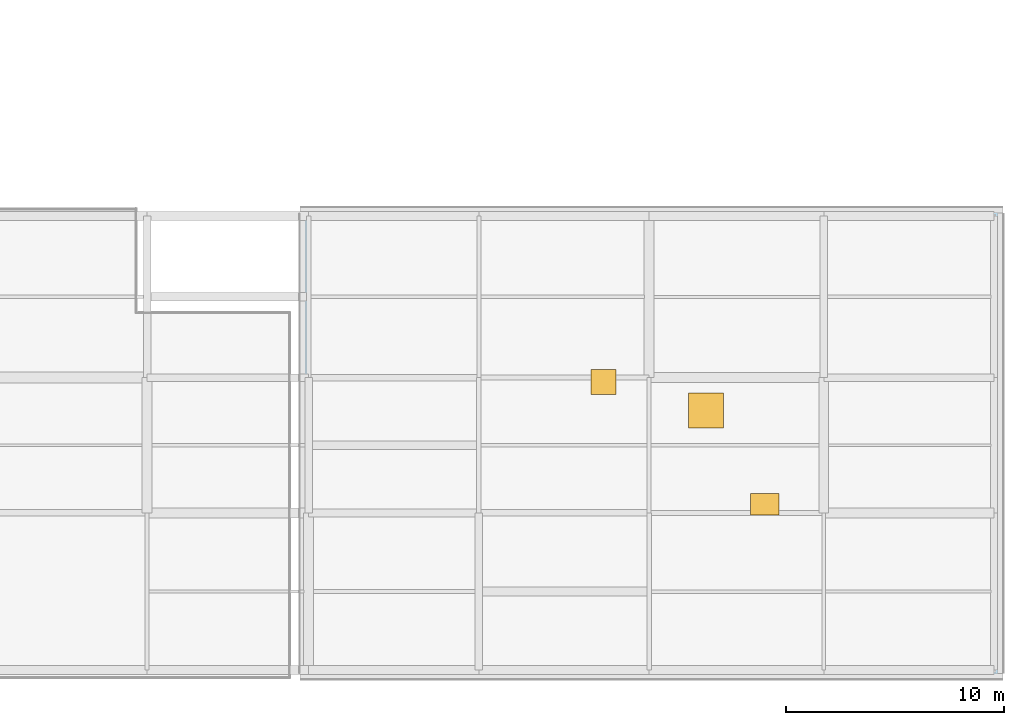
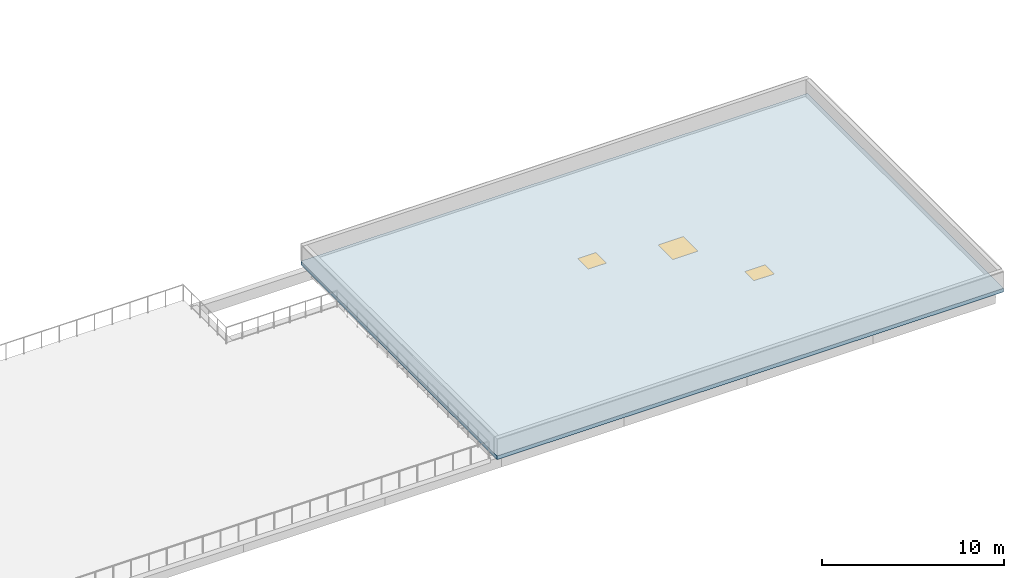
# One storey, part 131 of 165: 2 doors, 1 slab, 1 window, 3 openings.
"""IFC4 building model written with IfcOpenShell, lengths in metres."""

from ifc_helpers import new_model, si_unit, direction, frame, origin, origin_2d, place, context, subcontext, project, spatial, polyline, rectangle, outline, extrude, material, layer, layer_set, type_object, element, fill, save


model = new_model("IFC4")

# Units and contexts
model_context = context("Model", 3, precision=1e-05, world=origin(), true_north=direction((0.0, 1.0)))
body_context = subcontext(model_context, "Body", "Model", "MODEL_VIEW")
ifc_project = project(units=[si_unit("LENGTHUNIT", "METRE"), si_unit("AREAUNIT", "SQUARE_METRE"), si_unit("VOLUMEUNIT", "CUBIC_METRE"), si_unit("PLANEANGLEUNIT", "RADIAN"), si_unit("MASSUNIT", "GRAM", prefix="KILO")], contexts=[model_context])

# Site, building, storey
site_placement = place(None, origin())
site = spatial("IfcSite", under=ifc_project, at=site_placement, CompositionType="ELEMENT")
building_placement = place(site_placement, origin())
building = spatial("IfcBuilding", under=site, at=building_placement, Name="Qalavern Law Courts", CompositionType="ELEMENT")
storey_placement = place(building_placement, frame((0.0, 0.0, 14.39990234375)))
storey = spatial("IfcBuildingStorey", under=building, at=storey_placement, Name="L03", CompositionType="ELEMENT", Elevation=14.39990234375)

# Slab, openings, doors, window
ifc_material_1 = material(Name="Concrete C35/45", Category="concrete")
ifc_layer = layer(ifc_material_1, 0.25)
ifc_layer_set = layer_set([ifc_layer], Name="Concrete C35/45")
slab_type = type_object("IfcSlabType", Name="STR-ROOF-FLAT250", PredefinedType="ROOF", material=ifc_layer_set)
slab_placement = place(storey_placement, frame((0.0, 0.0, -0.25)))
slab = element("IfcSlab", 1, at=slab_placement, inside=storey, type_object=slab_type, Name="V6 insulated flat roof slab L03", PredefinedType="ROOF", context=body_context, shape_type="SweptSolid", body=[
    extrude(outline(polyline([(133.800048828125, 1.0), (166.0, 1.0), (166.0, 22.60009765625), (133.800048828125, 22.60009765625), (133.800048828125, 1.0)])), origin(), (0.0, 0.0, 1.0), 0.25),
])
opening_1_placement = place(slab_placement, frame((147.699951171875, 14.60009765625, 0.0)))
opening_1 = element("IfcOpeningElement", 2, at=opening_1_placement, cuts=slab, Name="Opening RH-01", PredefinedType="OPENING", context=body_context, shape_type="SweptSolid", body=[
    extrude(rectangle(XDim=1.14990234375, YDim=1.14990234375, at=origin_2d()), frame((0.0, 0.0, -0.014892578125)), (0.0, 0.0, 1.0), 0.27978515625),
])
opening_2_placement = place(slab_placement, frame((155.10009765625, 9.0, 0.0)))
opening_2 = element("IfcOpeningElement", 3, at=opening_2_placement, cuts=slab, Name="Opening RH-02", PredefinedType="OPENING", context=body_context, shape_type="SweptSolid", body=[
    extrude(rectangle(XDim=1.300048828125, YDim=1.0, at=origin_2d()), frame((0.0, 0.0, -0.014892578125)), (0.0, 0.0, 1.0), 0.27978515625),
])
opening_3_placement = place(slab_placement, frame((152.39990234375, 13.300048828125, 0.0)))
opening_3 = element("IfcOpeningElement", 4, at=opening_3_placement, cuts=slab, Name="Opening SK-05", PredefinedType="OPENING", context=body_context, shape_type="SweptSolid", body=[
    extrude(rectangle(XDim=1.60009765625, YDim=1.60009765625, at=origin_2d()), frame((0.0, 0.0, -0.014892578125)), (0.0, 0.0, 1.0), 0.27978515625),
])
ifc_material_2 = material(Name="Thermally broken anodised aluminium and laminated safety glass", Category="aluminium")
door_type_1 = type_object("IfcDoorType", Name="ENV-HT-1150x1150", OperationType="SINGLE_SWING_LEFT", PredefinedType="TRAPDOOR", material=ifc_material_2)
door_1_placement = place(opening_1_placement, frame((0.0, 0.0, 0.199951171875)))
door_1 = element("IfcDoor", 5, at=door_1_placement, inside=storey, type_object=door_type_1, Name="V6 roof maintenance access hatch L03", OperationType="SINGLE_SWING_LEFT", OverallHeight=1.14990234375, OverallWidth=1.14990234375, PredefinedType="TRAPDOOR", context=body_context, shape_type="SweptSolid", body=[
    extrude(rectangle(XDim=1.14990234375, YDim=1.14990234375, at=origin_2d()), origin(), (0.0, 0.0, 1.0), 0.050048828125),
])
fill(opening_1, door_1)
door_type_2 = type_object("IfcDoorType", Name="ENV-HT-1300x1000", OperationType="SINGLE_SWING_LEFT", PredefinedType="TRAPDOOR", material=ifc_material_2)
door_2_placement = place(opening_2_placement, frame((0.0, 0.0, 0.199951171875)))
door_2 = element("IfcDoor", 6, at=door_2_placement, inside=storey, type_object=door_type_2, Name="V6 east roof maintenance access hatch L03", OperationType="SINGLE_SWING_LEFT", OverallHeight=1.0, OverallWidth=1.300048828125, PredefinedType="TRAPDOOR", context=body_context, shape_type="SweptSolid", body=[
    extrude(rectangle(XDim=1.300048828125, YDim=1.0, at=origin_2d()), origin(), (0.0, 0.0, 1.0), 0.050048828125),
])
fill(opening_2, door_2)
ifc_material_3 = material(Name="Anodised aluminium skylight with laminated low-E glazing", Category="aluminium")
window_type = type_object("IfcWindowType", Name="ENV-SKY-1600x1600", PartitioningType="SINGLE_PANEL", PredefinedType="SKYLIGHT", material=ifc_material_3)
window_placement = place(opening_3_placement, frame((0.0, 0.0, 0.199951171875)))
window = element("IfcWindow", 7, at=window_placement, inside=storey, type_object=window_type, Name="V6 rooftop daylight skylight L03", OverallHeight=1.60009765625, OverallWidth=1.60009765625, PartitioningType="SINGLE_PANEL", PredefinedType="SKYLIGHT", context=body_context, shape_type="SweptSolid", body=[
    extrude(rectangle(XDim=1.60009765625, YDim=1.60009765625, at=origin_2d()), origin(), (0.0, 0.0, 1.0), 0.050048828125),
])
fill(opening_3, window)

save(model, "model.ifc")
